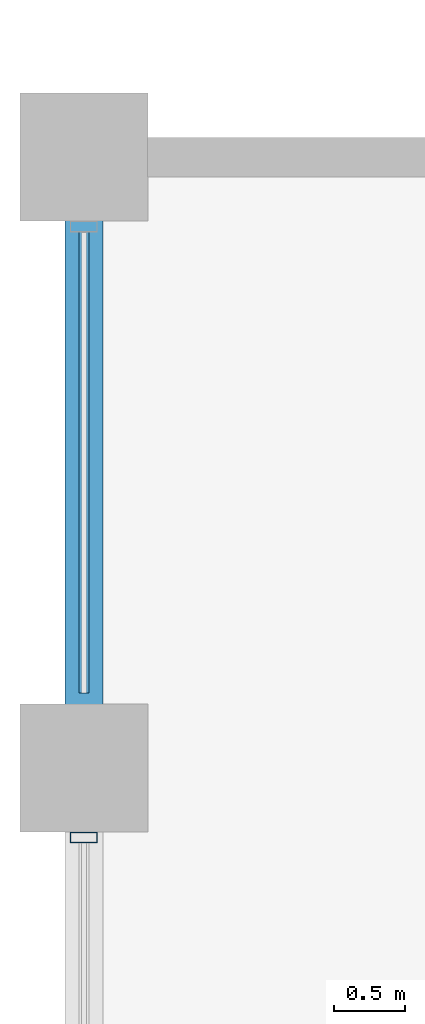
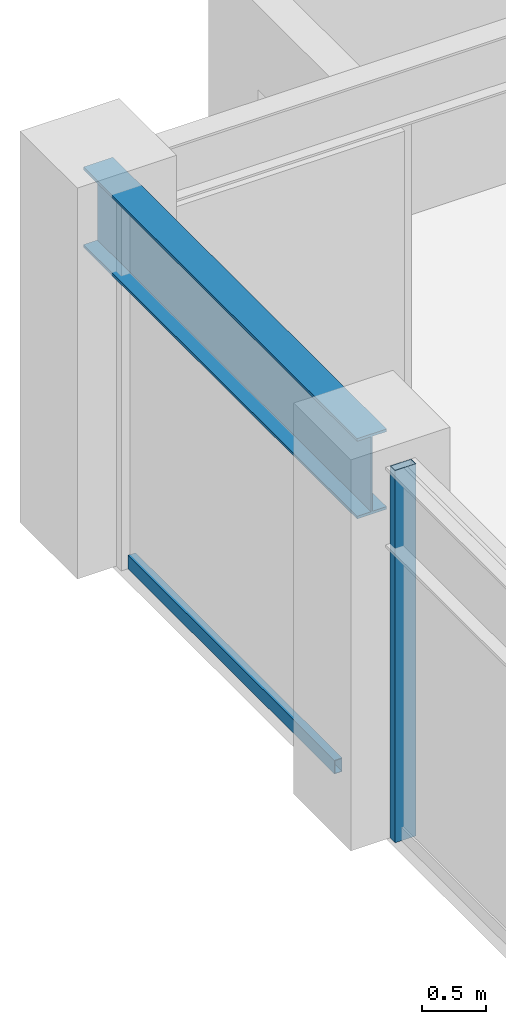
# One storey, part 16 of 32: 2 members, 1 beam, 1 element without a shape of its own.
"""IFC4 building model written with IfcOpenShell, lengths in metres."""

from ifc_helpers import new_model, si_unit, direction, frame, origin, origin_2d, place, context, subcontext, project, spatial, hollow_rectangle, i_section, extrude, material, layer, layer_set, material_profile, profile_set, type_object, element, aggregate, save


model = new_model("IFC4")

# Units and contexts
model_context = context("Model", 3, precision=1e-05, world=origin(), true_north=direction((0.0, 1.0)))
body_context = subcontext(model_context, "Body", "Model", "MODEL_VIEW")
ifc_project = project(units=[si_unit("LENGTHUNIT", "METRE"), si_unit("AREAUNIT", "SQUARE_METRE"), si_unit("VOLUMEUNIT", "CUBIC_METRE"), si_unit("PLANEANGLEUNIT", "RADIAN"), si_unit("MASSUNIT", "GRAM", prefix="KILO")], contexts=[model_context])

# Site, building, storey
site_placement = place(None, origin())
site = spatial("IfcSite", under=ifc_project, at=site_placement, CompositionType="ELEMENT")
building_placement = place(site_placement, origin())
building = spatial("IfcBuilding", under=site, at=building_placement, Name="Surkhivell Harbour Commons", CompositionType="ELEMENT")
storey_placement = place(building_placement, frame((0.0, 0.0, 197.25)))
storey = spatial("IfcBuildingStorey", under=building, at=storey_placement, Name="L51", CompositionType="ELEMENT", Elevation=197.25)

# Beam
ifc_material_1 = material(Name="Steel S355", Category="steel")
ifc_material_profile_1 = material_profile(ifc_material_1, i_section(OverallWidth=0.26806640625, OverallDepth=0.77001953125, WebThickness=0.015625, FlangeThickness=0.025390625, at=origin_2d()), Name="UB762x267x197")
ifc_profile_set_1 = profile_set([ifc_material_profile_1], Name="Steel S355")
beam_type = type_object("IfcBeamType", Name="BM-SPN-762", PredefinedType="SPANDREL", material=ifc_profile_set_1)
beam_placement = place(storey_placement, frame((-27.0, 16.199951171875, 3.18505859375), z_axis=(0.0, 1.0, 0.0), x_axis=(-1.0, 0.0, 0.0)))
element("IfcBeam", 1, at=beam_placement, inside=storey, type_object=beam_type, Name="L51 Tube Spandrel (-27.0,16.2)", PredefinedType="SPANDREL", context=body_context, shape_type="SweptSolid", body=[
    extrude(i_section(OverallWidth=0.26806640625, OverallDepth=0.77001953125, WebThickness=0.015625, FlangeThickness=0.025390625, at=origin_2d()), origin(), (0.0, 0.0, 1.0), 4.300048828125),
])

# Curtain wall, members
ifc_material_2 = material(Name="Anodised pale-metal aluminium and insulated glazing", Category="aluminium")
ifc_layer = layer(ifc_material_2, 0.18994140625)
ifc_layer_set = layer_set([ifc_layer], Name="Anodised pale-metal aluminium and insulated glazing")
curtain_wall_type = type_object("IfcCurtainWallType", Name="CW-SYS-Z3", PredefinedType="NOTDEFINED", material=ifc_layer_set)
curtain_wall_placement = place(storey_placement, origin())
curtain_wall = element("IfcCurtainWall", 2, at=curtain_wall_placement, inside=storey, type_object=curtain_wall_type, Name="L51 Curtain Wall CW-L51-E12S1", PredefinedType="NOTDEFINED")
ifc_material_3 = material(Name="Anodised pale-metal aluminium alloy 6063-T6", Category="aluminium")
ifc_material_profile_2 = material_profile(ifc_material_3, hollow_rectangle(XDim=0.074951171875, YDim=0.18994140625, WallThickness=0.00390625, at=origin_2d()), Name="ALU-MULL-75x190")
ifc_profile_set_2 = profile_set([ifc_material_profile_2], Name="Anodised pale-metal aluminium alloy 6063-T6")
member_type_1 = type_object("IfcMemberType", Name="CWM-190", PredefinedType="MULLION", material=ifc_profile_set_2)
member_1_placement = place(storey_placement, frame((-27.0, 15.71044921875, 0.0), z_axis=(0.0, 0.0, 1.0), x_axis=(0.0, -1.0, 0.0)))
member_1 = element("IfcMember", 3, at=member_1_placement, type_object=member_type_1, Name="CW-Z3 mullion 2", PredefinedType="MULLION", context=body_context, shape_type="SweptSolid", body=[
    extrude(hollow_rectangle(XDim=0.074951171875, YDim=0.18994140625, WallThickness=0.00390625, at=origin_2d()), origin(), (0.0, 0.0, 1.0), 3.570068359375),
])
ifc_material_4 = material(Name="Champagne anodised aluminium alloy 6063-T6", Category="aluminium")
ifc_material_profile_3 = material_profile(ifc_material_4, hollow_rectangle(XDim=0.070068359375, YDim=0.1298828125, WallThickness=0.00341796875, at=origin_2d()), Name="ALU-TRAN-70x130")
ifc_profile_set_3 = profile_set([ifc_material_profile_3], Name="Champagne anodised aluminium alloy 6063-T6")
member_type_2 = type_object("IfcMemberType", Name="CWT-130", PredefinedType="USERDEFINED", material=ifc_profile_set_3)
member_2_placement = place(storey_placement, frame((-27.0, 19.972900390625, 0.06494140625), z_axis=(0.0, -1.0, 0.0), x_axis=(1.0, 0.0, 0.0)))
member_2 = element("IfcMember", 4, at=member_2_placement, type_object=member_type_2, Name="CW-Z3 transom 1.1", ObjectType="TRANSOM", PredefinedType="USERDEFINED", context=body_context, shape_type="SweptSolid", body=[
    extrude(hollow_rectangle(XDim=0.070068359375, YDim=0.1298828125, WallThickness=0.00341796875, at=origin_2d()), origin(), (0.0, 0.0, 1.0), 3.245849609375),
])
aggregate(curtain_wall, [member_2, member_1])

save(model, "model.ifc")
